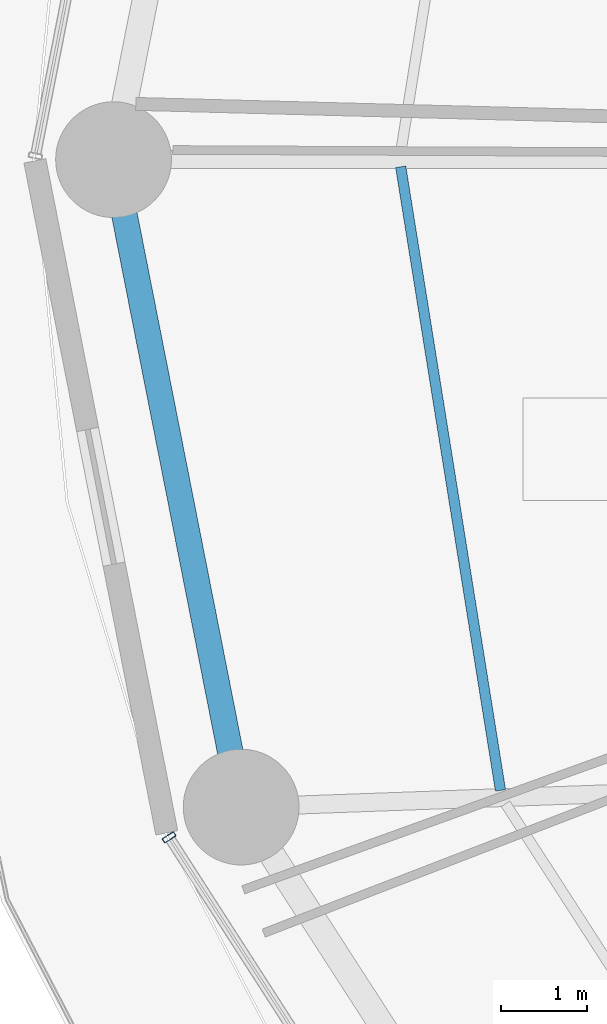
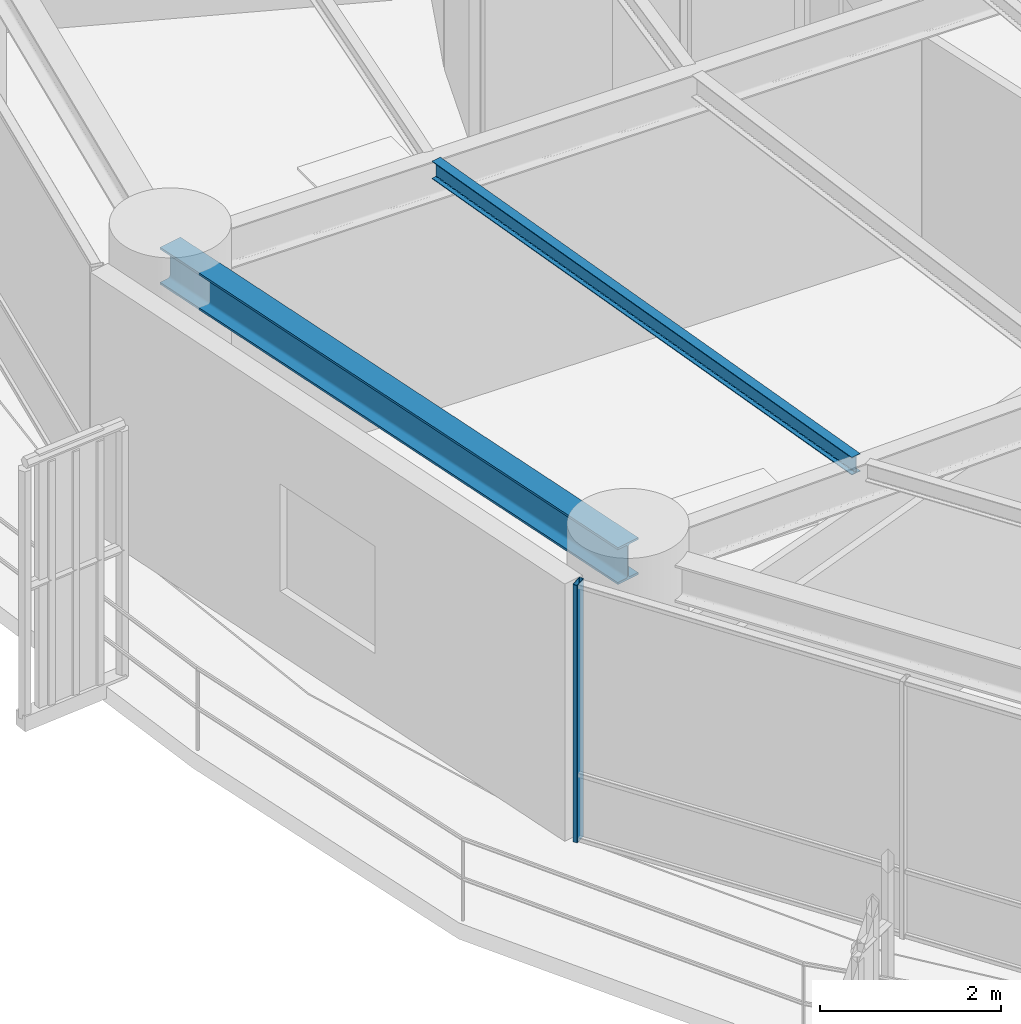
# One storey, part 4 of 33: 2 beams, 1 member, 1 element without a shape of its own.
"""IFC4 building model written with IfcOpenShell, lengths in metres."""

from ifc_helpers import new_model, si_unit, direction, frame, origin, origin_2d, place, context, subcontext, project, spatial, hollow_rectangle, i_section, extrude, material, layer, layer_set, material_profile, profile_set, type_object, element, aggregate, save


model = new_model("IFC4")

# Units and contexts
model_context = context("Model", 3, precision=1e-05, world=origin(), true_north=direction((0.0, 1.0)))
body_context = subcontext(model_context, "Body", "Model", "MODEL_VIEW")
ifc_project = project(units=[si_unit("LENGTHUNIT", "METRE"), si_unit("AREAUNIT", "SQUARE_METRE"), si_unit("VOLUMEUNIT", "CUBIC_METRE"), si_unit("PLANEANGLEUNIT", "RADIAN"), si_unit("MASSUNIT", "GRAM", prefix="KILO")], contexts=[model_context])

# Site, building, storey
site_placement = place(None, origin())
site = spatial("IfcSite", under=ifc_project, at=site_placement, CompositionType="ELEMENT")
building_placement = place(site_placement, origin())
building = spatial("IfcBuilding", under=site, at=building_placement, Name="Kelanora Arch Commons", CompositionType="ELEMENT")
storey_placement = place(building_placement, frame((0.0, 0.0, 83.85009765625)))
storey = spatial("IfcBuildingStorey", under=building, at=storey_placement, Name="L21", CompositionType="ELEMENT", Elevation=83.85009765625)

# Beams
ifc_material_1 = material(Name="Steel S355", Category="steel")
ifc_material_profile_1 = material_profile(ifc_material_1, i_section(OverallWidth=0.1201171875, OverallDepth=0.239990234375, WebThickness=0.006103515625, FlangeThickness=0.009765625, FilletRadius=0.014892578125, at=origin_2d()), Name="IPE240")
ifc_profile_set_1 = profile_set([ifc_material_profile_1], Name="Steel S355")
beam_type_1 = type_object("IfcBeamType", Name="BM-JST-02", PredefinedType="JOIST", material=ifc_profile_set_1)
beam_1_placement = place(storey_placement, frame((52.66943359375, 57.916015625, 3.369873046875), z_axis=(0.157999549894, -0.987439184068, 0.0), x_axis=(0.987439184068, 0.157999549894, 0.0)))
element("IfcBeam", 1, at=beam_1_placement, inside=storey, type_object=beam_type_1, Name="Secondary Chord Joist BJC-18 L21", PredefinedType="JOIST", context=body_context, shape_type="SweptSolid", body=[
    extrude(i_section(OverallWidth=0.1201171875, OverallDepth=0.239990234375, WebThickness=0.006103515625, FlangeThickness=0.009765625, FilletRadius=0.014892578125, at=origin_2d()), origin(), (0.0, 0.0, 1.0), 7.365966796875),
])
ifc_material_profile_2 = material_profile(ifc_material_1, i_section(OverallWidth=0.300048828125, OverallDepth=0.5, WebThickness=0.014404296875, FlangeThickness=0.028076171875, FilletRadius=0.027099609375, at=origin_2d()), Name="HEB500")
ifc_profile_set_2 = profile_set([ifc_material_profile_2], Name="Steel S355")
beam_type_2 = type_object("IfcBeamType", Name="BM-SPN-Z2", PredefinedType="SPANDREL", material=ifc_profile_set_2)
beam_2_placement = place(storey_placement, frame((49.320068359375, 58.0, 3.239990234375), z_axis=(0.19335825777, -0.981128220037, 0.0), x_axis=(0.981128220037, 0.19335825777, 0.0)))
element("IfcBeam", 2, at=beam_2_placement, inside=storey, type_object=beam_type_2, Name="Perimeter Spandrel Beam BS-18 L21", PredefinedType="SPANDREL", context=body_context, shape_type="SweptSolid", body=[
    extrude(i_section(OverallWidth=0.300048828125, OverallDepth=0.5, WebThickness=0.014404296875, FlangeThickness=0.028076171875, FilletRadius=0.027099609375, at=origin_2d()), origin(), (0.0, 0.0, 1.0), 7.697021484375),
])

# Curtain wall, member
ifc_material_2 = material(Name="Terracotta ceramic-fritted low-E glass and aluminium", Category="masonry")
ifc_layer = layer(ifc_material_2, 0.159912109375)
ifc_layer_set = layer_set([ifc_layer], Name="Terracotta ceramic-fritted low-E glass and aluminium")
curtain_wall_type = type_object("IfcCurtainWallType", Name="CW-SYS-01", PredefinedType="NOTDEFINED", material=ifc_layer_set)
curtain_wall_placement = place(storey_placement, origin())
curtain_wall = element("IfcCurtainWall", 3, at=curtain_wall_placement, inside=storey, type_object=curtain_wall_type, Name="Unitised Curtain Wall L21-B10", PredefinedType="NOTDEFINED")
ifc_material_3 = material(Name="Powder-coated aluminium terracotta", Category="masonry")
ifc_material_profile_3 = material_profile(ifc_material_3, hollow_rectangle(XDim=0.159912109375, YDim=0.06005859375, WallThickness=0.0048828125, InnerFilletRadius=0.0048828125, OuterFilletRadius=0.010009765625, at=origin_2d()), Name="CWM160x60")
ifc_profile_set_3 = profile_set([ifc_material_profile_3], Name="Powder-coated aluminium terracotta")
member_type = type_object("IfcMemberType", Name="CWM-STD", PredefinedType="MULLION", material=ifc_profile_set_3)
member_placement = place(storey_placement, frame((49.96826171875, 50.095703125, 0.0), z_axis=(0.0, 0.0, 1.0), x_axis=(0.841268883088, 0.540616931244, 0.0)))
member = element("IfcMember", 4, at=member_placement, type_object=member_type, Name="CW-01 mullion 1", PredefinedType="MULLION", context=body_context, shape_type="SweptSolid", body=[
    extrude(hollow_rectangle(XDim=0.159912109375, YDim=0.06005859375, WallThickness=0.0048828125, InnerFilletRadius=0.0048828125, OuterFilletRadius=0.010009765625, at=origin_2d()), origin(), (0.0, 0.0, 1.0), 3.474853515625),
])
aggregate(curtain_wall, [member])

save(model, "model.ifc")
